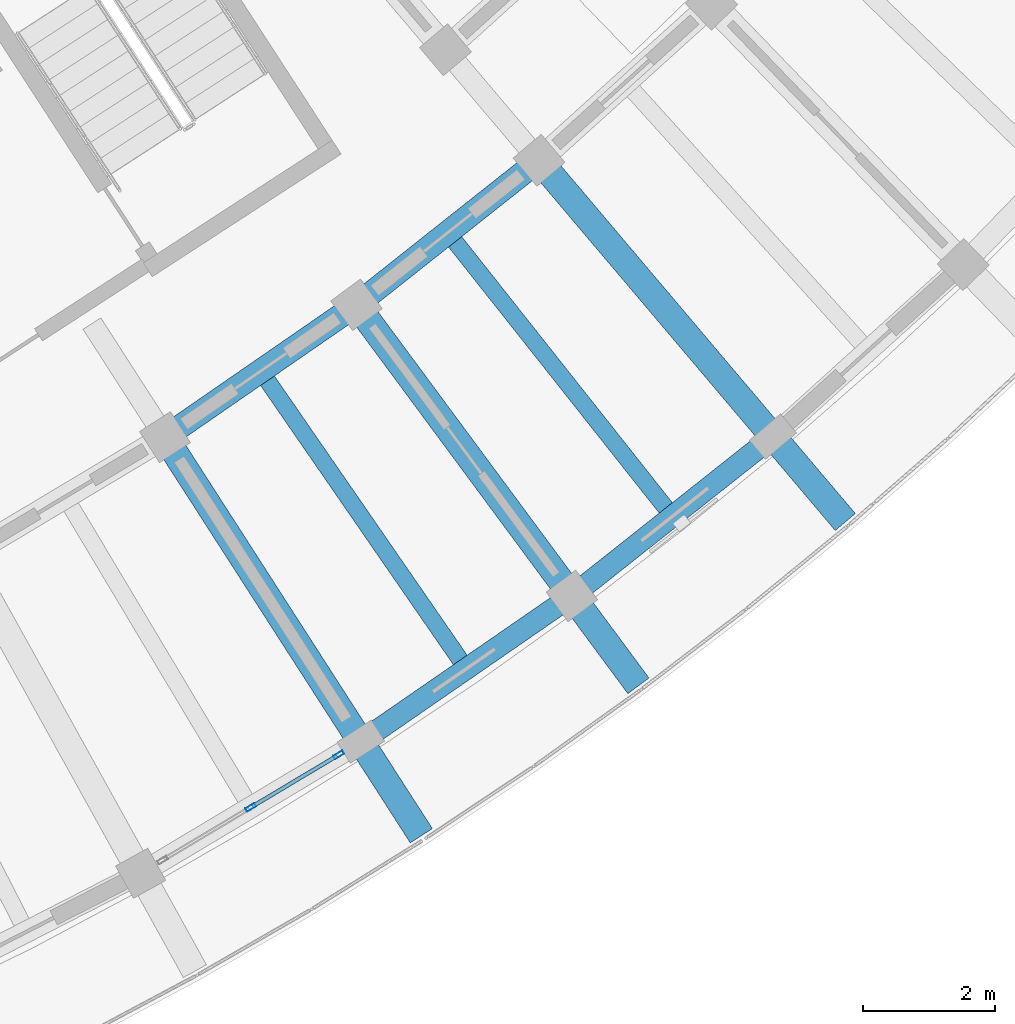
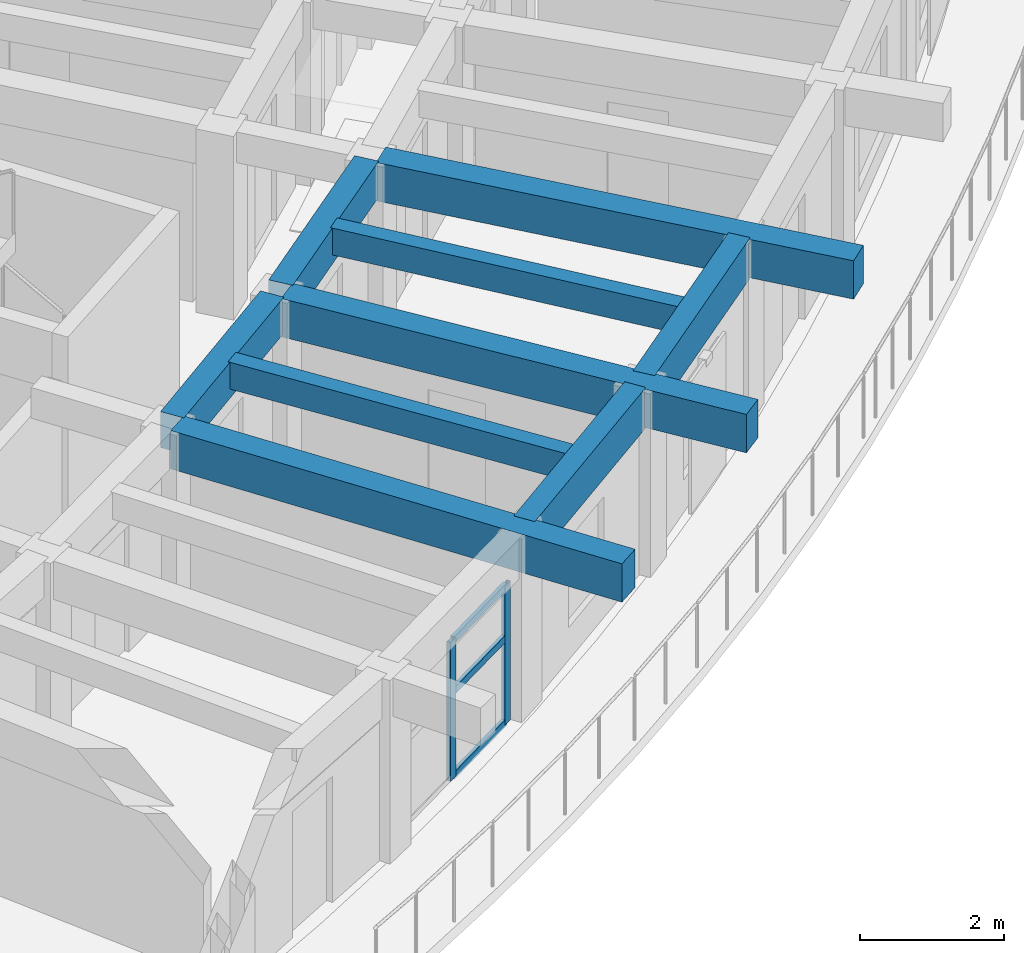
# One storey, part 18 of 78: 9 beams, 5 members, 1 element without a shape of its own.
"""IFC4 building model written with IfcOpenShell, lengths in metres."""

from ifc_helpers import new_model, si_unit, direction, frame, origin, origin_2d, place, context, subcontext, project, spatial, rectangle, hollow_rectangle, extrude, material, material_profile, profile_set, type_object, element, aggregate, save


model = new_model("IFC4")

# Units and contexts
model_context = context("Model", 3, precision=1e-05, world=origin(), true_north=direction((0.0, 1.0)))
body_context = subcontext(model_context, "Body", "Model", "MODEL_VIEW")
ifc_project = project(units=[si_unit("LENGTHUNIT", "METRE"), si_unit("AREAUNIT", "SQUARE_METRE"), si_unit("VOLUMEUNIT", "CUBIC_METRE"), si_unit("PLANEANGLEUNIT", "RADIAN"), si_unit("MASSUNIT", "GRAM", prefix="KILO")], contexts=[model_context])

# Site, building, storey
site_placement = place(None, origin())
site = spatial("IfcSite", under=ifc_project, at=site_placement, CompositionType="ELEMENT")
building_placement = place(site_placement, origin())
building = spatial("IfcBuilding", under=site, at=building_placement, Name="Tanwirah Colonnade Gardens", CompositionType="ELEMENT")
storey_placement = place(building_placement, frame((0.0, 0.0, 22.280029296875)))
storey = spatial("IfcBuildingStorey", under=building, at=storey_placement, Name="L06", CompositionType="ELEMENT", Elevation=22.280029296875)

# Beams
ifc_material_1 = material(Name="Precast concrete C40/50", Category="concrete")
ifc_material_profile_1 = material_profile(ifc_material_1, rectangle(XDim=0.360107421875, YDim=0.610107421875, at=origin_2d()), Name="PC-BM 360x610")
ifc_profile_set_1 = profile_set([ifc_material_profile_1], Name="Precast concrete C40/50")
beam_type_1 = type_object("IfcBeamType", Name="BM-PC300", PredefinedType="BEAM", material=ifc_profile_set_1)
beam_1_placement = place(storey_placement, frame((150.363037109375, 19.126953125, 2.804931640625), z_axis=(0.822889344221, 0.568201660651, 0.0), x_axis=(-0.568201660651, 0.822889344221, 0.0)))
element("IfcBeam", 1, at=beam_1_placement, inside=storey, type_object=beam_type_1, Name="Block D L06 Circumferential Beam 5-R2", PredefinedType="BEAM", context=body_context, shape_type="SweptSolid", body=[
    extrude(rectangle(XDim=0.360107421875, YDim=0.610107421875, at=origin_2d()), origin(), (0.0, 0.0, 1.0), 3.237060546875),
])
beam_2_placement = place(storey_placement, frame((153.267822265625, 21.144775390625, 2.804931640625), z_axis=(0.783993819374, 0.620768629349, 0.0), x_axis=(-0.620768629349, 0.783993819374, 0.0)))
element("IfcBeam", 2, at=beam_2_placement, inside=storey, type_object=beam_type_1, Name="Block D L06 Circumferential Beam 6-R2", PredefinedType="BEAM", context=body_context, shape_type="SweptSolid", body=[
    extrude(rectangle(XDim=0.360107421875, YDim=0.610107421875, at=origin_2d()), origin(), (0.0, 0.0, 1.0), 3.23681640625),
])
ifc_material_2 = material(Name="Precast concrete C45/55", Category="concrete")
ifc_material_profile_2 = material_profile(ifc_material_2, rectangle(XDim=0.39990234375, YDim=0.64990234375, at=origin_2d()), Name="PC-BM 400x650")
ifc_profile_set_2 = profile_set([ifc_material_profile_2], Name="Precast concrete C45/55")
beam_type_2 = type_object("IfcBeamType", Name="BM-PC400", PredefinedType="BEAM", material=ifc_profile_set_2)
for number, where, z_axis, x_axis, name in (
    (3, (150.32080078125, 18.915771484375, 2.784912109375), (0.540976349149, -0.841037805132, 0.0), (0.841037805132, 0.540976349149, 0.0), "Block D L06 Outer Radial Precast Girder 5"),
    (4, (153.239501953125, 20.930908203125, 2.784912109375), (0.594806754627, -0.803868723518, 0.0), (0.803868723518, 0.594806754627, 0.0), "Block D L06 Outer Radial Precast Girder 6"),
    (5, (156.02001953125, 23.1328125, 2.784912109375), (0.646119193339, -0.763236521663, 0.0), (0.763236521663, 0.646119193339, 0.0), "Block D L06 Outer Radial Precast Girder 7"),
):
    element("IfcBeam", number, at=place(storey_placement, frame(where, z_axis=z_axis, x_axis=x_axis)), inside=storey, type_object=beam_type_2, Name=name, PredefinedType="BEAM", context=body_context, shape_type="SweptSolid", body=[
        extrude(rectangle(XDim=0.39990234375, YDim=0.64990234375, at=origin_2d()), origin(), (0.0, 0.0, 1.0), 7.050048828125),
    ])

# Curtain wall, members
ifc_material_3 = material(Name="Bronze-anodised aluminium and solar-control low-E glass", Category="aluminium")
curtain_wall_type = type_object("IfcCurtainWallType", Name="CW-LOB", PredefinedType="NOTDEFINED", material=ifc_material_3)
curtain_wall_placement = place(storey_placement, origin())
curtain_wall = element("IfcCurtainWall", 6, at=curtain_wall_placement, inside=storey, type_object=curtain_wall_type, Name="Curtain Wall CW-D-L06-OUT-04", PredefinedType="NOTDEFINED")
ifc_material_4 = material(Name="Bronze-anodised aluminium", Category="aluminium")
ifc_material_profile_3 = material_profile(ifc_material_4, hollow_rectangle(XDim=0.06005859375, YDim=0.159912109375, WallThickness=0.00390625, at=origin_2d()), Name="CW-MUL 60x160x4")
ifc_profile_set_3 = profile_set([ifc_material_profile_3], Name="Bronze-anodised aluminium")
member_type_1 = type_object("IfcMemberType", Name="CWM-60x160", PredefinedType="MULLION", material=ifc_profile_set_3)
member_1_placement = place(storey_placement, frame((151.542724609375, 13.416259765625, 0.0), z_axis=(0.0, 0.0, 1.0), x_axis=(-0.513166590222, 0.858289025142, 0.0)))
member_1 = element("IfcMember", 7, at=member_1_placement, type_object=member_type_1, Name="CW-LOB mullion 2", PredefinedType="MULLION", context=body_context, shape_type="SweptSolid", body=[
    extrude(hollow_rectangle(XDim=0.06005859375, YDim=0.159912109375, WallThickness=0.00390625, at=origin_2d()), origin(), (0.0, 0.0, 1.0), 2.35498046875),
])
member_2_placement = place(storey_placement, frame((152.88037109375, 14.216064453125, 0.0), z_axis=(0.0, 0.0, 1.0), x_axis=(-0.513166590222, 0.858289025142, 0.0)))
member_2 = element("IfcMember", 8, at=member_2_placement, type_object=member_type_1, Name="CW-LOB mullion 3", PredefinedType="MULLION", context=body_context, shape_type="SweptSolid", body=[
    extrude(hollow_rectangle(XDim=0.06005859375, YDim=0.159912109375, WallThickness=0.00390625, at=origin_2d()), origin(), (0.0, 0.0, 1.0), 2.35498046875),
])
ifc_material_profile_4 = material_profile(ifc_material_4, hollow_rectangle(XDim=0.06005859375, YDim=0.1201171875, WallThickness=0.00390625, at=origin_2d()), Name="CW-TRN 60x120x4")
ifc_profile_set_4 = profile_set([ifc_material_profile_4], Name="Bronze-anodised aluminium")
member_type_2 = type_object("IfcMemberType", Name="CWT-60x120", PredefinedType="USERDEFINED", material=ifc_profile_set_4)
member_3_placement = place(storey_placement, frame((151.568359375, 13.431640625, 0.030029296875), z_axis=(0.858268220683, 0.513201384805, 0.0), x_axis=(-0.513201384805, 0.858268220683, 0.0)))
member_3 = element("IfcMember", 9, at=member_3_placement, type_object=member_type_2, Name="CW-LOB transom 2.1", ObjectType="TRANSOM", PredefinedType="USERDEFINED", context=body_context, shape_type="SweptSolid", body=[
    extrude(hollow_rectangle(XDim=0.06005859375, YDim=0.1201171875, WallThickness=0.00390625, at=origin_2d()), origin(), (0.0, 0.0, 1.0), 1.49853515625),
])
member_4_placement = place(storey_placement, frame((151.568359375, 13.431640625, 1.4599609375), z_axis=(0.858268220683, 0.513201384805, 0.0), x_axis=(-0.513201384805, 0.858268220683, 0.0)))
member_4 = element("IfcMember", 10, at=member_4_placement, type_object=member_type_2, Name="CW-LOB transom 2.2", ObjectType="TRANSOM", PredefinedType="USERDEFINED", context=body_context, shape_type="SweptSolid", body=[
    extrude(hollow_rectangle(XDim=0.06005859375, YDim=0.1201171875, WallThickness=0.00390625, at=origin_2d()), origin(), (0.0, 0.0, 1.0), 1.49853515625),
])
member_5_placement = place(storey_placement, frame((151.568359375, 13.431640625, 2.324951171875), z_axis=(0.858268220683, 0.513201384805, 0.0), x_axis=(-0.513201384805, 0.858268220683, 0.0)))
member_5 = element("IfcMember", 11, at=member_5_placement, type_object=member_type_2, Name="CW-LOB transom 2.3", ObjectType="TRANSOM", PredefinedType="USERDEFINED", context=body_context, shape_type="SweptSolid", body=[
    extrude(hollow_rectangle(XDim=0.06005859375, YDim=0.1201171875, WallThickness=0.00390625, at=origin_2d()), origin(), (0.0, 0.0, 1.0), 1.49853515625),
])
aggregate(curtain_wall, [member_1, member_2, member_3, member_4, member_5])

# Beams
ifc_material_profile_5 = material_profile(ifc_material_1, rectangle(XDim=0.2548828125, YDim=0.455078125, at=origin_2d()), Name="PC-JST 255x455")
ifc_profile_set_5 = profile_set([ifc_material_profile_5], Name="Precast concrete C40/50")
beam_type_3 = type_object("IfcBeamType", Name="JST-PC240", PredefinedType="JOIST", material=ifc_profile_set_5)
for number, where, z_axis, x_axis, name in (
    (12, (151.779541015625, 19.924072265625, 2.882568359375), (0.56820792868, -0.822885016138, 0.0), (0.822885016138, 0.56820792868, 0.0), "Block D L06 Precast Floor Joist 5"),
    (13, (154.629150390625, 22.03271484375, 2.882568359375), (0.620787347885, -0.783978997617, 0.0), (0.783978997617, 0.620787347885, 0.0), "Block D L06 Precast Floor Joist 6"),
):
    element("IfcBeam", number, at=place(storey_placement, frame(where, z_axis=z_axis, x_axis=x_axis)), inside=storey, type_object=beam_type_3, Name=name, PredefinedType="JOIST", context=body_context, shape_type="SweptSolid", body=[
        extrude(rectangle(XDim=0.2548828125, YDim=0.455078125, at=origin_2d()), origin(), (0.0, 0.0, 1.0), 5.260009765625),
    ])
ifc_material_profile_6 = material_profile(ifc_material_1, rectangle(XDim=0.324951171875, YDim=0.68505859375, at=origin_2d()), Name="PC-SP 325x685")
ifc_profile_set_6 = profile_set([ifc_material_profile_6], Name="Precast concrete C40/50")
beam_type_4 = type_object("IfcBeamType", Name="SP-PC260", PredefinedType="SPANDREL", material=ifc_profile_set_6)
for number, where, z_axis, x_axis, name in (
    (14, (153.33837890625, 14.50146484375, 2.767578125), (0.822907478943, 0.568175396423, 0.0), (-0.568175396423, 0.822907478943, 0.0), "Block D L06 Circumferential Beam 5-R3"),
    (15, (156.539306640625, 16.723388671875, 2.767578125), (0.783971495357, 0.620796822211, 0.0), (-0.620796822211, 0.783971495357, 0.0), "Block D L06 Circumferential Beam 6-R3"),
):
    element("IfcBeam", number, at=place(storey_placement, frame(where, z_axis=z_axis, x_axis=x_axis)), inside=storey, type_object=beam_type_4, Name=name, PredefinedType="SPANDREL", context=body_context, shape_type="SweptSolid", body=[
        extrude(rectangle(XDim=0.324951171875, YDim=0.68505859375, at=origin_2d()), origin(), (0.0, 0.0, 1.0), 3.596923828125),
    ])

save(model, "model.ifc")
